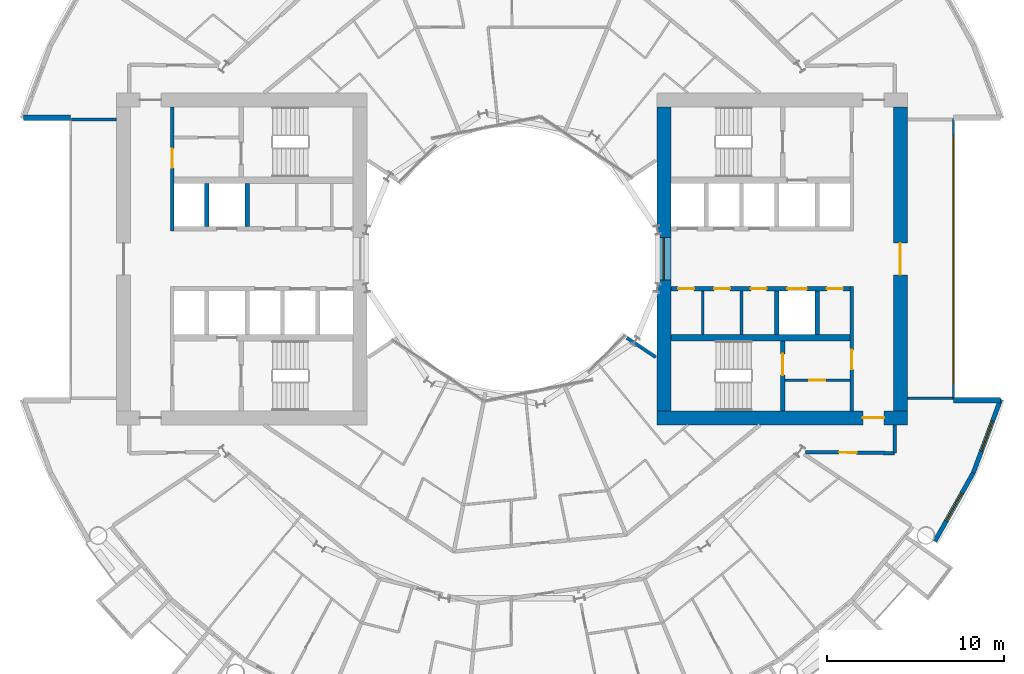
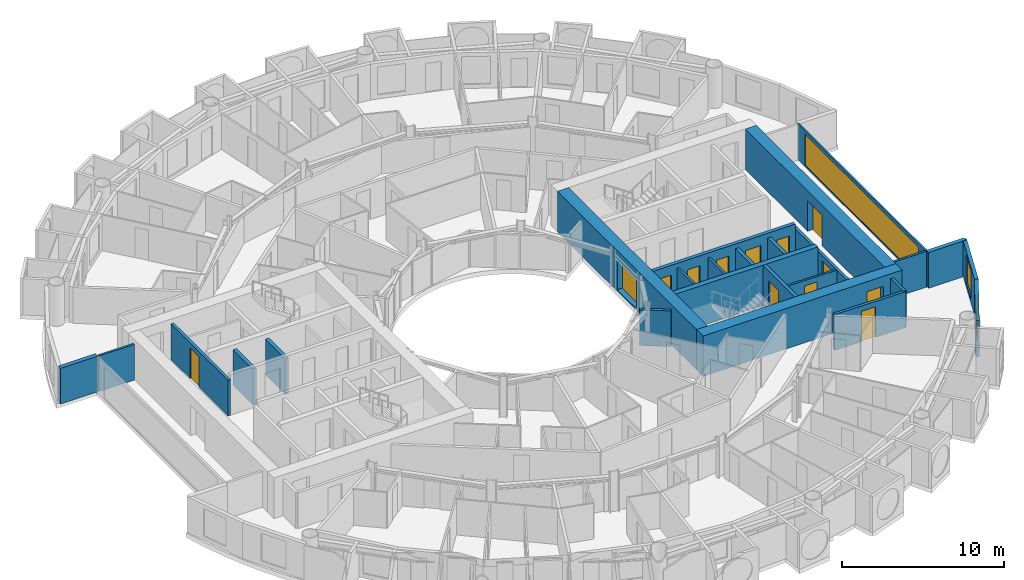
# One storey, part 17 of 26: 25 walls, 12 doors, 4 windows, 16 openings.
"""IFC4 building model written with IfcOpenShell, lengths in metres."""

from ifc_helpers import new_model, si_unit, direction, frame, frame_2d, origin, place, context, subcontext, project, spatial, rectangle, extrude, material, layer, layer_set, type_object, element, fill, save


model = new_model("IFC4")

# Units and contexts
model_context = context("Model", 3, precision=1e-05, world=origin(), true_north=direction((0.0, 1.0)))
body_context = subcontext(model_context, "Body", "Model", "MODEL_VIEW")
ifc_project = project(units=[si_unit("LENGTHUNIT", "METRE"), si_unit("AREAUNIT", "SQUARE_METRE"), si_unit("VOLUMEUNIT", "CUBIC_METRE"), si_unit("PLANEANGLEUNIT", "RADIAN"), si_unit("MASSUNIT", "GRAM", prefix="KILO")], contexts=[model_context])

# Site, building, storey
site_placement = place(None, origin())
site = spatial("IfcSite", under=ifc_project, at=site_placement, CompositionType="ELEMENT")
building_placement = place(site_placement, origin())
building = spatial("IfcBuilding", under=site, at=building_placement, Name="Maasbend Ring Residences", CompositionType="ELEMENT")
storey_placement = place(building_placement, frame((0.0, 0.0, 38.050048828125)))
storey = spatial("IfcBuildingStorey", under=building, at=storey_placement, Name="L10", CompositionType="ELEMENT", Elevation=38.050048828125)

# Wall, openings, doors
ifc_material_1 = material(Name="Concrete C70/85", Category="concrete")
ifc_layer_1 = layer(ifc_material_1, 0.25)
ifc_layer_set_1 = layer_set([ifc_layer_1], Name="Concrete C70/85")
wall_type_1 = type_object("IfcWallType", Name="CORE WALL 250 C70/85", PredefinedType="SHEAR", material=ifc_layer_set_1)
wall_1_placement = place(storey_placement, frame((19.14990234375, -1.699951171875, 0.0), z_axis=(0.0, 0.0, 1.0), x_axis=(-1.0, 0.0, 0.0)))
wall_1 = element("IfcWall", 1, at=wall_1_placement, inside=storey, type_object=wall_type_1, Name="L10 core E wall SPS", PredefinedType="SHEAR", context=body_context, shape_type="SweptSolid", body=[
    extrude(rectangle(XDim=10.14990234375, YDim=0.25, at=frame_2d((5.074951171875, 0.0))), origin(), (0.0, 0.0, 1.0), 3.050048828125),
])
opening_1_placement = place(wall_1_placement, frame((2.449951171875, 0.0, 0.0)))
opening_1 = element("IfcOpeningElement", 2, at=opening_1_placement, cuts=wall_1, Name="Opening LD-E1005", PredefinedType="OPENING", context=body_context, shape_type="SweptSolid", body=[
    extrude(rectangle(XDim=1.10009765625, YDim=2.300048828125, at=frame_2d((0.550048828125, 1.14990234375))), frame((0.0, 0.135009765625, 0.0), z_axis=(0.0, -1.0, 0.0), x_axis=(1.0, 0.0, 0.0)), (0.0, 0.0, 1.0), 0.27001953125),
])
opening_2_placement = place(wall_1_placement, frame((8.83740234375, 0.0, 0.0)))
opening_2 = element("IfcOpeningElement", 3, at=opening_2_placement, cuts=wall_1, Name="Opening D-E1006", PredefinedType="OPENING", context=body_context, shape_type="SweptSolid", body=[
    extrude(rectangle(XDim=0.89990234375, YDim=2.300048828125, at=frame_2d((0.449951171875, 1.14990234375))), frame((0.0, 0.135009765625, 0.0), z_axis=(0.0, -1.0, 0.0), x_axis=(1.0, 0.0, 0.0)), (0.0, 0.0, 1.0), 0.27001953125),
])
opening_3_placement = place(wall_1_placement, frame((6.800048828125, 0.0, 0.0)))
opening_3 = element("IfcOpeningElement", 4, at=opening_3_placement, cuts=wall_1, Name="Opening D-E1007", PredefinedType="OPENING", context=body_context, shape_type="SweptSolid", body=[
    extrude(rectangle(XDim=0.89990234375, YDim=2.300048828125, at=frame_2d((0.449951171875, 1.14990234375))), frame((0.0, 0.135009765625, 0.0), z_axis=(0.0, -1.0, 0.0), x_axis=(1.0, 0.0, 0.0)), (0.0, 0.0, 1.0), 0.27001953125),
])
opening_4_placement = place(wall_1_placement, frame((4.72509765625, 0.0, 0.0)))
opening_4 = element("IfcOpeningElement", 5, at=opening_4_placement, cuts=wall_1, Name="Opening D-E1008", PredefinedType="OPENING", context=body_context, shape_type="SweptSolid", body=[
    extrude(rectangle(XDim=0.89990234375, YDim=2.300048828125, at=frame_2d((0.449951171875, 1.14990234375))), frame((0.0, 0.135009765625, 0.0), z_axis=(0.0, -1.0, 0.0), x_axis=(1.0, 0.0, 0.0)), (0.0, 0.0, 1.0), 0.27001953125),
])
opening_5_placement = place(wall_1_placement, frame((0.41259765625, 0.0, 0.0)))
opening_5 = element("IfcOpeningElement", 6, at=opening_5_placement, cuts=wall_1, Name="Opening D-E1009", PredefinedType="OPENING", context=body_context, shape_type="SweptSolid", body=[
    extrude(rectangle(XDim=0.89990234375, YDim=2.300048828125, at=frame_2d((0.449951171875, 1.14990234375))), frame((0.0, 0.135009765625, 0.0), z_axis=(0.0, -1.0, 0.0), x_axis=(1.0, 0.0, 0.0)), (0.0, 0.0, 1.0), 0.27001953125),
])
ifc_material_2 = material(Name="Stainless steel 316", Category="steel")
door_type_1 = type_object("IfcDoorType", Name="LANDING DOOR 1100 X 2300 FD60", OperationType="DOUBLE_DOOR_SLIDING", PredefinedType="DOOR", material=ifc_material_2)
door_1_placement = place(opening_1_placement, origin())
door_1 = element("IfcDoor", 7, at=door_1_placement, inside=storey, type_object=door_type_1, Name="Landing door SV-E L10", OperationType="DOUBLE_DOOR_SLIDING", OverallHeight=2.300048828125, OverallWidth=1.10009765625, PredefinedType="DOOR", context=body_context, shape_type="SweptSolid", body=[
    extrude(rectangle(XDim=1.10009765625, YDim=2.300048828125, at=frame_2d((0.550048828125, 1.14990234375))), frame((0.0, 0.02490234375, 0.0), z_axis=(0.0, -1.0, 0.0), x_axis=(1.0, 0.0, 0.0)), (0.0, 0.0, 1.0), 0.050048828125),
])
fill(opening_1, door_1)
ifc_material_3 = material(Name="Steel, powder coated", Category="steel")
door_type_2 = type_object("IfcDoorType", Name="ROOM DOOR 900 X 2300 FD30S", OperationType="NOTDEFINED", PredefinedType="DOOR", material=ifc_material_3)
door_2_placement = place(opening_2_placement, origin())
door_2 = element("IfcDoor", 8, at=door_2_placement, inside=storey, type_object=door_type_2, Name="Room door L10", OperationType="SINGLE_SWING_LEFT", OverallHeight=2.300048828125, OverallWidth=0.89990234375, PredefinedType="DOOR", context=body_context, shape_type="SweptSolid", body=[
    extrude(rectangle(XDim=0.89990234375, YDim=2.300048828125, at=frame_2d((0.449951171875, 1.14990234375))), frame((0.0, 0.02490234375, 0.0), z_axis=(0.0, -1.0, 0.0), x_axis=(1.0, 0.0, 0.0)), (0.0, 0.0, 1.0), 0.050048828125),
])
fill(opening_2, door_2)
door_3_placement = place(opening_3_placement, origin())
door_3 = element("IfcDoor", 9, at=door_3_placement, inside=storey, type_object=door_type_2, Name="Room door L10", OperationType="SINGLE_SWING_LEFT", OverallHeight=2.300048828125, OverallWidth=0.89990234375, PredefinedType="DOOR", context=body_context, shape_type="SweptSolid", body=[
    extrude(rectangle(XDim=0.89990234375, YDim=2.300048828125, at=frame_2d((0.449951171875, 1.14990234375))), frame((0.0, 0.02490234375, 0.0), z_axis=(0.0, -1.0, 0.0), x_axis=(1.0, 0.0, 0.0)), (0.0, 0.0, 1.0), 0.050048828125),
])
fill(opening_3, door_3)
door_4_placement = place(opening_4_placement, origin())
door_4 = element("IfcDoor", 10, at=door_4_placement, inside=storey, type_object=door_type_2, Name="Room door L10", OperationType="SINGLE_SWING_LEFT", OverallHeight=2.300048828125, OverallWidth=0.89990234375, PredefinedType="DOOR", context=body_context, shape_type="SweptSolid", body=[
    extrude(rectangle(XDim=0.89990234375, YDim=2.300048828125, at=frame_2d((0.449951171875, 1.14990234375))), frame((0.0, 0.02490234375, 0.0), z_axis=(0.0, -1.0, 0.0), x_axis=(1.0, 0.0, 0.0)), (0.0, 0.0, 1.0), 0.050048828125),
])
fill(opening_4, door_4)
door_5_placement = place(opening_5_placement, origin())
door_5 = element("IfcDoor", 11, at=door_5_placement, inside=storey, type_object=door_type_2, Name="Room door L10", OperationType="SINGLE_SWING_RIGHT", OverallHeight=2.300048828125, OverallWidth=0.89990234375, PredefinedType="DOOR", context=body_context, shape_type="SweptSolid", body=[
    extrude(rectangle(XDim=0.89990234375, YDim=2.300048828125, at=frame_2d((0.449951171875, 1.14990234375))), frame((0.0, 0.02490234375, 0.0), z_axis=(0.0, -1.0, 0.0), x_axis=(1.0, 0.0, 0.0)), (0.0, 0.0, 1.0), 0.050048828125),
])
fill(opening_5, door_5)

# Wall, opening, door
wall_2_placement = place(storey_placement, frame((15.324951171875, -8.60009765625, 0.0), z_axis=(0.0, 0.0, 1.0), x_axis=(0.0, 1.0, 0.0)))
wall_2 = element("IfcWall", 12, at=wall_2_placement, inside=storey, type_object=wall_type_1, Name="L10 core E wall STES", PredefinedType="SHEAR", context=body_context, shape_type="SweptSolid", body=[
    extrude(rectangle(XDim=3.9501953125, YDim=0.25, at=frame_2d((1.97509765625, 0.0))), origin(), (0.0, 0.0, 1.0), 3.050048828125),
])
opening_6_placement = place(wall_2_placement, frame((2.02490234375, 0.0, 0.0)))
opening_6 = element("IfcOpeningElement", 13, at=opening_6_placement, cuts=wall_2, Name="Opening D-E1012", PredefinedType="OPENING", context=body_context, shape_type="SweptSolid", body=[
    extrude(rectangle(XDim=1.199951171875, YDim=2.300048828125, at=frame_2d((0.60009765625, 1.14990234375))), frame((0.0, 0.135009765625, 0.0), z_axis=(0.0, -1.0, 0.0), x_axis=(1.0, 0.0, 0.0)), (0.0, 0.0, 1.0), 0.27001953125),
])
ifc_material_4 = material(Name="Steel, powder coated", Category="steel")
door_type_3 = type_object("IfcDoorType", Name="STAIR DOOR 1200 X 2300 FD60", OperationType="NOTDEFINED", PredefinedType="DOOR", material=ifc_material_4)
door_6_placement = place(opening_6_placement, origin())
door_6 = element("IfcDoor", 14, at=door_6_placement, inside=storey, type_object=door_type_3, Name="Stair door ST-E L10", OperationType="SINGLE_SWING_LEFT", OverallHeight=2.300048828125, OverallWidth=1.199951171875, PredefinedType="DOOR", context=body_context, shape_type="SweptSolid", body=[
    extrude(rectangle(XDim=1.199951171875, YDim=2.300048828125, at=frame_2d((0.60009765625, 1.14990234375))), frame((0.0, 0.02490234375, 0.0), z_axis=(0.0, -1.0, 0.0), x_axis=(1.0, 0.0, 0.0)), (0.0, 0.0, 1.0), 0.050048828125),
])
fill(opening_6, door_6)

# Wall
ifc_material_5 = material(Name="Concrete C70/85", Category="concrete")
ifc_layer_2 = layer(ifc_material_5, 0.375)
ifc_layer_set_2 = layer_set([ifc_layer_2], Name="Concrete C70/85")
wall_type_2 = type_object("IfcWallType", Name="CORE WALL 375 C70/85", PredefinedType="SHEAR", material=ifc_layer_set_2)
wall_3_placement = place(storey_placement, frame((9.0, -4.46240234375, 0.0), z_axis=(0.0, 0.0, 1.0), x_axis=(1.0, 0.0, 0.0)))
element("IfcWall", 15, at=wall_3_placement, inside=storey, type_object=wall_type_2, Name="L10 core E wall BS", PredefinedType="SHEAR", context=body_context, shape_type="SweptSolid", body=[
    extrude(rectangle(XDim=10.14990234375, YDim=0.375, at=frame_2d((5.074951171875, 0.0))), origin(), (0.0, 0.0, 1.0), 3.050048828125),
])

# Wall, opening, door
ifc_material_6 = material(Name="Concrete C70/85", Category="concrete")
ifc_layer_3 = layer(ifc_material_6, 0.800048828125)
ifc_layer_set_3 = layer_set([ifc_layer_3], Name="Concrete C70/85")
wall_type_3 = type_object("IfcWallType", Name="CORE WALL 800 C70/85", PredefinedType="SHEAR", material=ifc_layer_set_3)
wall_4_placement = place(storey_placement, frame((8.199951171875, -9.0, 0.0), z_axis=(0.0, 0.0, 1.0), x_axis=(1.0, 0.0, 0.0)))
wall_4 = element("IfcWall", 16, at=wall_4_placement, inside=storey, type_object=wall_type_3, Name="L10 core E wall PS", PredefinedType="SHEAR", context=body_context, shape_type="SweptSolid", body=[
    extrude(rectangle(XDim=14.199951171875, YDim=0.800048828125, at=frame_2d((7.10009765625, 0.0))), origin(), (0.0, 0.0, 1.0), 3.050048828125),
])
opening_7_placement = place(wall_4_placement, frame((11.675048828125, 0.0, 0.0)))
opening_7 = element("IfcOpeningElement", 17, at=opening_7_placement, cuts=wall_4, Name="Opening D-E1016", PredefinedType="OPENING", context=body_context, shape_type="SweptSolid", body=[
    extrude(rectangle(XDim=1.199951171875, YDim=2.300048828125, at=frame_2d((0.60009765625, 1.14990234375))), frame((0.0, 0.41015625, 0.0), z_axis=(0.0, -1.0, 0.0), x_axis=(1.0, 0.0, 0.0)), (0.0, 0.0, 1.0), 0.820068359375),
])
ifc_material_7 = material(Name="Steel, powder coated", Category="steel")
door_type_4 = type_object("IfcDoorType", Name="CORRIDOR DOOR 1200 X 2300 FD30S", OperationType="NOTDEFINED", PredefinedType="DOOR", material=ifc_material_7)
door_7_placement = place(opening_7_placement, origin())
door_7 = element("IfcDoor", 18, at=door_7_placement, inside=storey, type_object=door_type_4, Name="Corridor door L10", OperationType="SINGLE_SWING_LEFT", OverallHeight=2.300048828125, OverallWidth=1.199951171875, PredefinedType="DOOR", context=body_context, shape_type="SweptSolid", body=[
    extrude(rectangle(XDim=1.199951171875, YDim=2.300048828125, at=frame_2d((0.60009765625, 1.14990234375))), frame((0.0, 0.02490234375, 0.0), z_axis=(0.0, -1.0, 0.0), x_axis=(1.0, 0.0, 0.0)), (0.0, 0.0, 1.0), 0.050048828125),
])
fill(opening_7, door_7)

wall_5_placement = place(storey_placement, frame((22.0, 8.60009765625, 0.0), z_axis=(0.0, 0.0, 1.0), x_axis=(0.0, -1.0, 0.0)))
wall_5 = element("IfcWall", 19, at=wall_5_placement, inside=storey, type_object=wall_type_3, Name="L10 core E wall POUT", PredefinedType="SHEAR", context=body_context, shape_type="SweptSolid", body=[
    extrude(rectangle(XDim=17.2001953125, YDim=0.800048828125, at=frame_2d((8.60009765625, 0.0))), origin(), (0.0, 0.0, 1.0), 3.050048828125),
])
opening_8_placement = place(wall_5_placement, frame((7.699951171875, 0.0, 0.0)))
opening_8 = element("IfcOpeningElement", 20, at=opening_8_placement, cuts=wall_5, Name="Opening D-E1017", PredefinedType="OPENING", context=body_context, shape_type="SweptSolid", body=[
    extrude(rectangle(XDim=1.800048828125, YDim=2.300048828125, at=frame_2d((0.89990234375, 1.14990234375))), frame((0.0, 0.41015625, 0.0), z_axis=(0.0, -1.0, 0.0), x_axis=(1.0, 0.0, 0.0)), (0.0, 0.0, 1.0), 0.820068359375),
])
ifc_material_8 = material(Name="Aluminium frame, clear glass", Category="aluminium")
door_type_5 = type_object("IfcDoorType", Name="ENTRANCE DOOR 1800 X 2300 FD60", OperationType="NOTDEFINED", PredefinedType="DOOR", material=ifc_material_8)
door_8_placement = place(opening_8_placement, origin())
door_8 = element("IfcDoor", 21, at=door_8_placement, inside=storey, type_object=door_type_5, Name="Lobby glazed door L10", OperationType="SINGLE_SWING_LEFT", OverallHeight=2.300048828125, OverallWidth=1.800048828125, PredefinedType="DOOR", context=body_context, shape_type="SweptSolid", body=[
    extrude(rectangle(XDim=1.800048828125, YDim=2.300048828125, at=frame_2d((0.89990234375, 1.14990234375))), frame((0.0, 0.02490234375, 0.0), z_axis=(0.0, -1.0, 0.0), x_axis=(1.0, 0.0, 0.0)), (0.0, 0.0, 1.0), 0.050048828125),
])
fill(opening_8, door_8)

# Wall, opening, window
wall_6_placement = place(storey_placement, frame((8.60009765625, -8.60009765625, 0.0), z_axis=(0.0, 0.0, 1.0), x_axis=(0.0, 1.0, 0.0)))
wall_6 = element("IfcWall", 22, at=wall_6_placement, inside=storey, type_object=wall_type_3, Name="L10 core E wall PIN", PredefinedType="SHEAR", context=body_context, shape_type="SweptSolid", body=[
    extrude(rectangle(XDim=17.2001953125, YDim=0.800048828125, at=frame_2d((8.60009765625, 0.0))), origin(), (0.0, 0.0, 1.0), 3.050048828125),
])
opening_9_placement = place(wall_6_placement, frame((7.39990234375, 0.0, 0.10009765625)))
opening_9 = element("IfcOpeningElement", 23, at=opening_9_placement, cuts=wall_6, Name="Opening W-E1001", PredefinedType="OPENING", context=body_context, shape_type="SweptSolid", body=[
    extrude(rectangle(XDim=2.39990234375, YDim=2.199951171875, at=frame_2d((1.199951171875, 1.10009765625))), frame((0.0, 0.41015625, 0.0), z_axis=(0.0, -1.0, 0.0), x_axis=(1.0, 0.0, 0.0)), (0.0, 0.0, 1.0), 0.820068359375),
])
ifc_material_9 = material(Name="Aluminium frame and clear glass", Category="aluminium")
window_type_1 = type_object("IfcWindowType", Name="FIXED WINDOW 2400 X 2200", PartitioningType="SINGLE_PANEL", PredefinedType="WINDOW", material=ifc_material_9)
window_1_placement = place(opening_9_placement, origin())
window_1 = element("IfcWindow", 24, at=window_1_placement, inside=storey, type_object=window_type_1, Name="Lobby window L10", OverallHeight=2.199951171875, OverallWidth=2.39990234375, PartitioningType="SINGLE_PANEL", PredefinedType="WINDOW", context=body_context, shape_type="SweptSolid", body=[
    extrude(rectangle(XDim=2.39990234375, YDim=2.199951171875, at=frame_2d((1.199951171875, 1.10009765625))), frame((0.0, 0.030029296875, 0.0), z_axis=(0.0, -1.0, 0.0), x_axis=(1.0, 0.0, 0.0)), (0.0, 0.0, 1.0), 0.06005859375),
])
fill(opening_9, window_1)

# Wall
ifc_material_10 = material(Name="Concrete C30/37", Category="concrete")
ifc_layer_4 = layer(ifc_material_10, 0.199951171875)
ifc_layer_set_4 = layer_set([ifc_layer_4], Name="Concrete C30/37")
wall_type_4 = type_object("IfcWallType", Name="CORRIDOR WALL 200 CONCRETE", PredefinedType="PARTITIONING", material=ifc_layer_set_4)
wall_7_placement = place(storey_placement, frame((21.675048828125, -11.0, 0.0), z_axis=(0.0, 0.0, 1.0), x_axis=(0.0, 1.0, 0.0)))
element("IfcWall", 25, at=wall_7_placement, inside=storey, type_object=wall_type_4, Name="U-L10-w003", PredefinedType="PARTITIONING", context=body_context, shape_type="SweptSolid", body=[
    extrude(rectangle(XDim=1.60009765625, YDim=0.199951171875, at=frame_2d((0.800048828125, 0.0))), origin(), (0.0, 0.0, 1.0), 2.699951171875),
])

# Wall, opening, door
wall_8_placement = place(storey_placement, frame((16.635986328125, -10.93994140625, 0.0), z_axis=(0.0, 0.0, 1.0), x_axis=(0.999928980998, -0.011917758204, 0.0)))
wall_8 = element("IfcWall", 26, at=wall_8_placement, inside=storey, type_object=wall_type_4, Name="U-L10-w026", PredefinedType="PARTITIONING", context=body_context, shape_type="SweptSolid", body=[
    extrude(rectangle(XDim=5.039306640625, YDim=0.199951171875, at=frame_2d((2.51953125, 0.0))), origin(), (0.0, 0.0, 1.0), 2.699951171875),
])
opening_10_placement = place(wall_8_placement, frame((1.885986328125, 0.0, 0.0)))
opening_10 = element("IfcOpeningElement", 27, at=opening_10_placement, cuts=wall_8, Name="Opening D-1067", PredefinedType="OPENING", context=body_context, shape_type="SweptSolid", body=[
    extrude(rectangle(XDim=1.0, YDim=2.300048828125, at=frame_2d((0.5, 1.14990234375))), frame((0.0, 0.10986328125, 0.0), z_axis=(0.0, -1.0, 0.0), x_axis=(1.0, 0.0, 0.0)), (0.0, 0.0, 1.0), 0.219970703125),
])
ifc_material_11 = material(Name="Timber, painted", Category="wood")
door_type_6 = type_object("IfcDoorType", Name="ROOM DOOR 1000 X 2300", OperationType="NOTDEFINED", PredefinedType="DOOR", material=ifc_material_11)
door_9_placement = place(opening_10_placement, origin())
door_9 = element("IfcDoor", 28, at=door_9_placement, inside=storey, type_object=door_type_6, Name="D-1067", OperationType="SINGLE_SWING_LEFT", OverallHeight=2.300048828125, OverallWidth=1.0, PredefinedType="DOOR", context=body_context, shape_type="SweptSolid", body=[
    extrude(rectangle(XDim=1.0, YDim=2.300048828125, at=frame_2d((0.5, 1.14990234375))), frame((0.0, 0.02490234375, 0.0), z_axis=(0.0, -1.0, 0.0), x_axis=(1.0, 0.0, 0.0)), (0.0, 0.0, 1.0), 0.050048828125),
])
fill(opening_10, door_9)

# Wall, opening, window
ifc_material_12 = material(Name="Aluminium clad insulated panel", Category="aluminium")
ifc_layer_5 = layer(ifc_material_12, 0.25)
ifc_layer_set_5 = layer_set([ifc_layer_5], Name="EW-HORN")
wall_type_5 = type_object("IfcWallType", Name="EW-HORN", PredefinedType="SOLIDWALL", material=ifc_layer_set_5)
wall_9_placement = place(storey_placement, frame((23.946044921875, -16.0, 0.0), z_axis=(0.0, 0.0, 1.0), x_axis=(0.489696356642, 0.871893042919, 0.0)))
wall_9 = element("IfcWall", 29, at=wall_9_placement, inside=storey, type_object=wall_type_5, Name="Horn wall 2.1", PredefinedType="SOLIDWALL", context=body_context, shape_type="SweptSolid", body=[
    extrude(rectangle(XDim=4.45361328125, YDim=0.25, at=frame_2d((2.226806640625, 0.0))), origin(), (0.0, 0.0, 1.0), 2.699951171875),
])
opening_11_placement = place(wall_9_placement, frame((1.32666015625, 0.0, 0.300048828125)))
opening_11 = element("IfcOpeningElement", 30, at=opening_11_placement, cuts=wall_9, Name="Opening W-BX", PredefinedType="OPENING", context=body_context, shape_type="SweptSolid", body=[
    extrude(rectangle(XDim=1.800048828125, YDim=2.10009765625, at=frame_2d((0.89990234375, 1.050048828125))), frame((0.0, 0.135009765625, 0.0), z_axis=(0.0, -1.0, 0.0), x_axis=(1.0, 0.0, 0.0)), (0.0, 0.0, 1.0), 0.27001953125),
])
ifc_material_13 = material(Name="Aluminium and clear glass", Category="aluminium")
window_type_2 = type_object("IfcWindowType", Name="W-BX", PartitioningType="DOUBLE_PANEL_VERTICAL", PredefinedType="WINDOW", material=ifc_material_13)
window_2_placement = place(opening_11_placement, origin())
window_2 = element("IfcWindow", 31, at=window_2_placement, inside=storey, type_object=window_type_2, Name="Horn window 2.1", OverallHeight=2.10009765625, OverallWidth=1.800048828125, PartitioningType="SINGLE_PANEL", PredefinedType="WINDOW", context=body_context, shape_type="SweptSolid", body=[
    extrude(rectangle(XDim=1.800048828125, YDim=2.10009765625, at=frame_2d((0.89990234375, 1.050048828125))), frame((0.0, 0.030029296875, 0.0), z_axis=(0.0, -1.0, 0.0), x_axis=(1.0, 0.0, 0.0)), (0.0, 0.0, 1.0), 0.06005859375),
])
fill(opening_11, window_2)

wall_10_placement = place(storey_placement, frame((26.126953125, -12.116943359375, 0.0), z_axis=(0.0, 0.0, 1.0), x_axis=(0.349247811493, 0.937030397675, 0.0)))
wall_10 = element("IfcWall", 32, at=wall_10_placement, inside=storey, type_object=wall_type_5, Name="Horn wall 2.2", PredefinedType="SOLIDWALL", context=body_context, shape_type="SweptSolid", body=[
    extrude(rectangle(XDim=4.4521484375, YDim=0.25, at=frame_2d((2.22607421875, 0.0))), origin(), (0.0, 0.0, 1.0), 2.699951171875),
])
opening_12_placement = place(wall_10_placement, frame((1.32666015625, 0.0, 0.300048828125)))
opening_12 = element("IfcOpeningElement", 33, at=opening_12_placement, cuts=wall_10, Name="Opening W-BX", PredefinedType="OPENING", context=body_context, shape_type="SweptSolid", body=[
    extrude(rectangle(XDim=1.800048828125, YDim=2.10009765625, at=frame_2d((0.89990234375, 1.050048828125))), frame((0.0, 0.135009765625, 0.0), z_axis=(0.0, -1.0, 0.0), x_axis=(1.0, 0.0, 0.0)), (0.0, 0.0, 1.0), 0.27001953125),
])
window_3_placement = place(opening_12_placement, origin())
window_3 = element("IfcWindow", 34, at=window_3_placement, inside=storey, type_object=window_type_2, Name="Horn window 2.2", OverallHeight=2.10009765625, OverallWidth=1.800048828125, PartitioningType="SINGLE_PANEL", PredefinedType="WINDOW", context=body_context, shape_type="SweptSolid", body=[
    extrude(rectangle(XDim=1.800048828125, YDim=2.10009765625, at=frame_2d((0.89990234375, 1.050048828125))), frame((0.0, 0.030029296875, 0.0), z_axis=(0.0, -1.0, 0.0), x_axis=(1.0, 0.0, 0.0)), (0.0, 0.0, 1.0), 0.06005859375),
])
fill(opening_12, window_3)

# Walls
ifc_material_14 = material(Name="Aluminium clad insulated panel", Category="aluminium")
ifc_layer_6 = layer(ifc_material_14, 0.300048828125)
ifc_layer_set_6 = layer_set([ifc_layer_6], Name="EW-RET")
wall_type_6 = type_object("IfcWallType", Name="EW-RET", PredefinedType="SOLIDWALL", material=ifc_layer_set_6)
for number, where, z_axis, x_axis, name in (
    (35, (25.0, -8.0, 0.0), (0.0, 0.0, 1.0), (1.0, 0.0, 0.0), "Notch return wall east south"),
    (36, (-25.0, 8.0, 0.0), (0.0, 0.0, 1.0), (-1.0, 0.0, 0.0), "Notch return wall west north"),
):
    element("IfcWall", number, at=place(storey_placement, frame(where, z_axis=z_axis, x_axis=x_axis)), inside=storey, type_object=wall_type_6, Name=name, PredefinedType="SOLIDWALL", context=body_context, shape_type="SweptSolid", body=[
        extrude(rectangle(XDim=2.6669921875, YDim=0.300048828125, at=frame_2d((1.33349609375, 0.0))), origin(), (0.0, 0.0, 1.0), 2.699951171875),
    ])

# Wall, opening, window
ifc_material_15 = material(Name="Aluminium frame and clear glass", Category="aluminium")
ifc_layer_7 = layer(ifc_material_15, 0.1201171875)
ifc_layer_set_7 = layer_set([ifc_layer_7], Name="GLAZED SCREEN WALL 120 EI 60")
wall_type_7 = type_object("IfcWallType", Name="GLAZED SCREEN WALL 120 EI 60", PredefinedType="PARTITIONING", material=ifc_layer_set_7)
wall_11_placement = place(storey_placement, frame((25.0, -7.949951171875, 0.0), z_axis=(0.0, 0.0, 1.0), x_axis=(0.0, 1.0, 0.0)))
wall_11 = element("IfcWall", 37, at=wall_11_placement, inside=storey, type_object=wall_type_7, Name="L10 core E wall FACE", PredefinedType="PARTITIONING", context=body_context, shape_type="SweptSolid", body=[
    extrude(rectangle(XDim=15.89990234375, YDim=0.1201171875, at=frame_2d((7.949951171875, 0.0))), origin(), (0.0, 0.0, 1.0), 2.699951171875),
])
opening_13_placement = place(wall_11_placement, frame((0.949951171875, 0.0, 0.10009765625)))
opening_13 = element("IfcOpeningElement", 38, at=opening_13_placement, cuts=wall_11, Name="Opening W-E1002", PredefinedType="OPENING", context=body_context, shape_type="SweptSolid", body=[
    extrude(rectangle(XDim=14.0, YDim=2.35009765625, at=frame_2d((7.0, 1.175048828125))), frame((0.0, 0.070068359375, 0.0), z_axis=(0.0, -1.0, 0.0), x_axis=(1.0, 0.0, 0.0)), (0.0, 0.0, 1.0), 0.14013671875),
])
ifc_material_16 = material(Name="Aluminium frame and clear glass", Category="aluminium")
window_type_3 = type_object("IfcWindowType", Name="FIXED WINDOW 14000 X 2350", PartitioningType="SINGLE_PANEL", PredefinedType="WINDOW", material=ifc_material_16)
window_4_placement = place(opening_13_placement, origin())
window_4 = element("IfcWindow", 39, at=window_4_placement, inside=storey, type_object=window_type_3, Name="Lobby window L10", OverallHeight=2.35009765625, OverallWidth=14.0, PartitioningType="SINGLE_PANEL", PredefinedType="WINDOW", context=body_context, shape_type="SweptSolid", body=[
    extrude(rectangle(XDim=14.0, YDim=2.35009765625, at=frame_2d((7.0, 1.175048828125))), frame((0.0, 0.030029296875, 0.0), z_axis=(0.0, -1.0, 0.0), x_axis=(1.0, 0.0, 0.0)), (0.0, 0.0, 1.0), 0.06005859375),
])
fill(opening_13, window_4)

# Walls
ifc_material_17 = material(Name="Gypsum board on steel studs", Category="steel")
ifc_layer_8 = layer(ifc_material_17, 0.14990234375)
ifc_layer_set_8 = layer_set([ifc_layer_8], Name="PARTITION 150 EI 60")
wall_type_8 = type_object("IfcWallType", Name="PARTITION 150 EI 60", PredefinedType="PARTITIONING", material=ifc_layer_set_8)
for number, where, z_axis, x_axis, name in (
    (40, (10.800048828125, -1.824951171875, 0.0), (0.0, 0.0, 1.0), (0.0, -1.0, 0.0), "L10 core E wall PRS1080"),
    (41, (13.0, -1.824951171875, 0.0), (0.0, 0.0, 1.0), (0.0, -1.0, 0.0), "L10 core E wall PRS1300"),
):
    element("IfcWall", number, at=place(storey_placement, frame(where, z_axis=z_axis, x_axis=x_axis)), inside=storey, type_object=wall_type_8, Name=name, PredefinedType="PARTITIONING", context=body_context, shape_type="SweptSolid", body=[
        extrude(rectangle(XDim=2.449951171875, YDim=0.14990234375, at=frame_2d((1.22509765625, 0.0))), origin(), (0.0, 0.0, 1.0), 2.699951171875),
    ])

# Wall, opening, door
wall_12_placement = place(storey_placement, frame((15.449951171875, -6.875, 0.0), z_axis=(0.0, 0.0, 1.0), x_axis=(1.0, 0.0, 0.0)))
wall_12 = element("IfcWall", 42, at=wall_12_placement, inside=storey, type_object=wall_type_8, Name="L10 core E wall RHS", PredefinedType="PARTITIONING", context=body_context, shape_type="SweptSolid", body=[
    extrude(rectangle(XDim=3.699951171875, YDim=0.14990234375, at=frame_2d((1.85009765625, 0.0))), origin(), (0.0, 0.0, 1.0), 2.699951171875),
])
opening_14_placement = place(wall_12_placement, frame((1.39990234375, 0.0, 0.0)))
opening_14 = element("IfcOpeningElement", 43, at=opening_14_placement, cuts=wall_12, Name="Opening D-E1010", PredefinedType="OPENING", context=body_context, shape_type="SweptSolid", body=[
    extrude(rectangle(XDim=0.89990234375, YDim=2.300048828125, at=frame_2d((0.449951171875, 1.14990234375))), frame((0.0, 0.0849609375, 0.0), z_axis=(0.0, -1.0, 0.0), x_axis=(1.0, 0.0, 0.0)), (0.0, 0.0, 1.0), 0.169921875),
])
ifc_material_18 = material(Name="Steel, powder coated", Category="steel")
door_type_7 = type_object("IfcDoorType", Name="RISER DOOR 900 X 2300 FD60", OperationType="NOTDEFINED", PredefinedType="DOOR", material=ifc_material_18)
door_10_placement = place(opening_14_placement, origin())
door_10 = element("IfcDoor", 44, at=door_10_placement, inside=storey, type_object=door_type_7, Name="Riser door L10", OperationType="SINGLE_SWING_LEFT", OverallHeight=2.300048828125, OverallWidth=0.89990234375, PredefinedType="DOOR", context=body_context, shape_type="SweptSolid", body=[
    extrude(rectangle(XDim=0.89990234375, YDim=2.300048828125, at=frame_2d((0.449951171875, 1.14990234375))), frame((0.0, 0.02490234375, 0.0), z_axis=(0.0, -1.0, 0.0), x_axis=(1.0, 0.0, 0.0)), (0.0, 0.0, 1.0), 0.050048828125),
])
fill(opening_14, door_10)

# Walls
for number, where, z_axis, x_axis, name in (
    (45, (22.39990234375, -7.89990234375, 0.0), (0.0, 0.0, 1.0), (1.0, 0.0, 0.0), "L10 core E wall CITS"),
    (46, (-22.39990234375, 7.89990234375, 0.0), (0.0, 0.0, 1.0), (-1.0, 0.0, 0.0), "L10 core W wall CITS"),
):
    element("IfcWall", number, at=place(storey_placement, frame(where, z_axis=z_axis, x_axis=x_axis)), inside=storey, type_object=wall_type_8, Name=name, PredefinedType="PARTITIONING", context=body_context, shape_type="SweptSolid", body=[
        extrude(rectangle(XDim=2.5400390625, YDim=0.14990234375, at=frame_2d((1.27001953125, 0.0))), origin(), (0.0, 0.0, 1.0), 2.699951171875),
    ])
ifc_material_19 = material(Name="Concrete C30/37", Category="concrete")
ifc_layer_9 = layer(ifc_material_19, 0.199951171875)
ifc_layer_set_9 = layer_set([ifc_layer_9], Name="Concrete C30/37")
wall_type_9 = type_object("IfcWallType", Name="PARTY WALL 200 CONCRETE", PredefinedType="PARTITIONING", material=ifc_layer_set_9)
wall_13_placement = place(storey_placement, frame((6.512939453125, -4.471923828125, 0.0), z_axis=(0.0, 0.0, 1.0), x_axis=(0.831417956244, -0.555647533996, 0.0)))
element("IfcWall", 47, at=wall_13_placement, inside=storey, type_object=wall_type_9, Name="U-L10-w028", PredefinedType="PARTITIONING", context=body_context, shape_type="SweptSolid", body=[
    extrude(rectangle(XDim=1.9619140625, YDim=0.199951171875, at=frame_2d((0.98095703125, 0.0))), origin(), (0.0, 0.0, 1.0), 2.699951171875),
])

# Wall, opening, door
ifc_material_20 = material(Name="Concrete C30/37", Category="concrete")
ifc_layer_10 = layer(ifc_material_20, 0.199951171875)
ifc_layer_set_10 = layer_set([ifc_layer_10], Name="Concrete C30/37")
wall_type_10 = type_object("IfcWallType", Name="SHAFT WALL 200 EI 120", PredefinedType="SOLIDWALL", material=ifc_layer_set_10)
wall_14_placement = place(storey_placement, frame((19.25, -8.60009765625, 0.0), z_axis=(0.0, 0.0, 1.0), x_axis=(0.0, 1.0, 0.0)))
wall_14 = element("IfcWall", 48, at=wall_14_placement, inside=storey, type_object=wall_type_10, Name="L10 core E wall ENDS", PredefinedType="SOLIDWALL", context=body_context, shape_type="SweptSolid", body=[
    extrude(rectangle(XDim=7.025146484375, YDim=0.199951171875, at=frame_2d((3.5126953125, 0.0))), origin(), (0.0, 0.0, 1.0), 2.699951171875),
])
opening_15_placement = place(wall_14_placement, frame((2.35009765625, 0.0, 0.0)))
opening_15 = element("IfcOpeningElement", 49, at=opening_15_placement, cuts=wall_14, Name="Opening D-E1014", PredefinedType="OPENING", context=body_context, shape_type="SweptSolid", body=[
    extrude(rectangle(XDim=1.10009765625, YDim=2.300048828125, at=frame_2d((0.550048828125, 1.14990234375))), frame((0.0, 0.10986328125, 0.0), z_axis=(0.0, -1.0, 0.0), x_axis=(1.0, 0.0, 0.0)), (0.0, 0.0, 1.0), 0.219970703125),
])
ifc_material_21 = material(Name="Steel, powder coated", Category="steel")
door_type_8 = type_object("IfcDoorType", Name="LOBBY DOOR 1100 X 2300 FD60", OperationType="NOTDEFINED", PredefinedType="DOOR", material=ifc_material_21)
door_11_placement = place(opening_15_placement, origin())
door_11 = element("IfcDoor", 50, at=door_11_placement, inside=storey, type_object=door_type_8, Name="Lobby door L10", OperationType="SINGLE_SWING_RIGHT", OverallHeight=2.300048828125, OverallWidth=1.10009765625, PredefinedType="DOOR", context=body_context, shape_type="SweptSolid", body=[
    extrude(rectangle(XDim=1.10009765625, YDim=2.300048828125, at=frame_2d((0.550048828125, 1.14990234375))), frame((0.0, 0.02490234375, 0.0), z_axis=(0.0, -1.0, 0.0), x_axis=(1.0, 0.0, 0.0)), (0.0, 0.0, 1.0), 0.050048828125),
])
fill(opening_15, door_11)

wall_15_placement = place(storey_placement, frame((-19.25, 8.60009765625, 0.0), z_axis=(0.0, 0.0, 1.0), x_axis=(0.0, -1.0, 0.0)))
wall_15 = element("IfcWall", 51, at=wall_15_placement, inside=storey, type_object=wall_type_10, Name="L10 core W wall ENDS", PredefinedType="SOLIDWALL", context=body_context, shape_type="SweptSolid", body=[
    extrude(rectangle(XDim=7.025146484375, YDim=0.199951171875, at=frame_2d((3.5126953125, 0.0))), origin(), (0.0, 0.0, 1.0), 2.699951171875),
])
opening_16_placement = place(wall_15_placement, frame((2.35009765625, 0.0, 0.0)))
opening_16 = element("IfcOpeningElement", 52, at=opening_16_placement, cuts=wall_15, Name="Opening D-W1013", PredefinedType="OPENING", context=body_context, shape_type="SweptSolid", body=[
    extrude(rectangle(XDim=1.10009765625, YDim=2.300048828125, at=frame_2d((0.550048828125, 1.14990234375))), frame((0.0, 0.10986328125, 0.0), z_axis=(0.0, -1.0, 0.0), x_axis=(1.0, 0.0, 0.0)), (0.0, 0.0, 1.0), 0.219970703125),
])
door_12_placement = place(opening_16_placement, origin())
door_12 = element("IfcDoor", 53, at=door_12_placement, inside=storey, type_object=door_type_8, Name="Lobby door L10", OperationType="SINGLE_SWING_RIGHT", OverallHeight=2.300048828125, OverallWidth=1.10009765625, PredefinedType="DOOR", context=body_context, shape_type="SweptSolid", body=[
    extrude(rectangle(XDim=1.10009765625, YDim=2.300048828125, at=frame_2d((0.550048828125, 1.14990234375))), frame((0.0, 0.02490234375, 0.0), z_axis=(0.0, -1.0, 0.0), x_axis=(1.0, 0.0, 0.0)), (0.0, 0.0, 1.0), 0.050048828125),
])
fill(opening_16, door_12)

# Walls
ifc_material_22 = material(Name="Concrete C30/37", Category="concrete")
ifc_layer_11 = layer(ifc_material_22, 0.25)
ifc_layer_set_11 = layer_set([ifc_layer_11], Name="Concrete C30/37")
wall_type_11 = type_object("IfcWallType", Name="SHAFT WALL 250 EI 120", PredefinedType="SOLIDWALL", material=ifc_layer_set_11)
for number, where, z_axis, x_axis, name in (
    (54, (15.0, -1.824951171875, 0.0), (0.0, 0.0, 1.0), (0.0, -1.0, 0.0), "L10 core E wall D150S"),
    (55, (17.300048828125, -1.824951171875, 0.0), (0.0, 0.0, 1.0), (0.0, -1.0, 0.0), "L10 core E wall D173S"),
    (56, (-15.0, 1.824951171875, 0.0), (0.0, 0.0, 1.0), (0.0, 1.0, 0.0), "L10 core W wall D150S"),
    (57, (-17.300048828125, 1.824951171875, 0.0), (0.0, 0.0, 1.0), (0.0, 1.0, 0.0), "L10 core W wall D173S"),
):
    element("IfcWall", number, at=place(storey_placement, frame(where, z_axis=z_axis, x_axis=x_axis)), inside=storey, type_object=wall_type_11, Name=name, PredefinedType="SOLIDWALL", context=body_context, shape_type="SweptSolid", body=[
        extrude(rectangle(XDim=2.449951171875, YDim=0.25, at=frame_2d((1.22509765625, 0.0))), origin(), (0.0, 0.0, 1.0), 2.699951171875),
    ])

save(model, "model.ifc")
